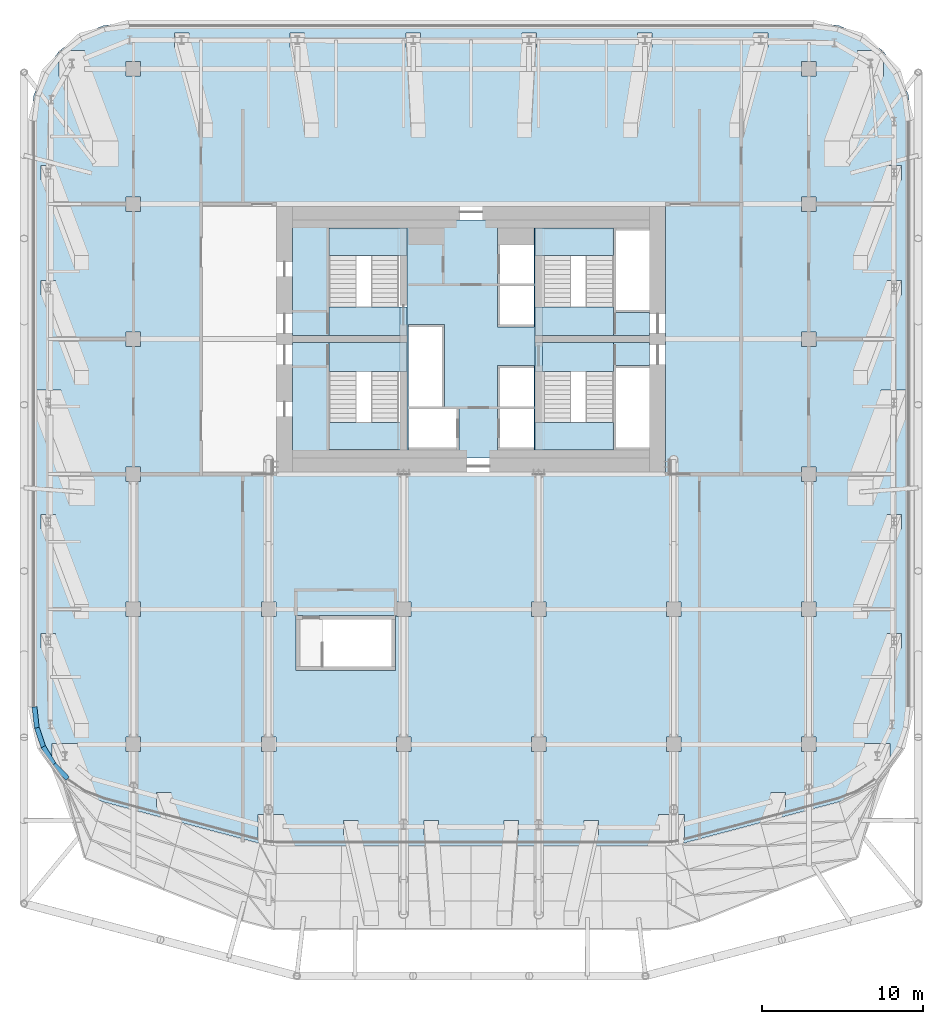
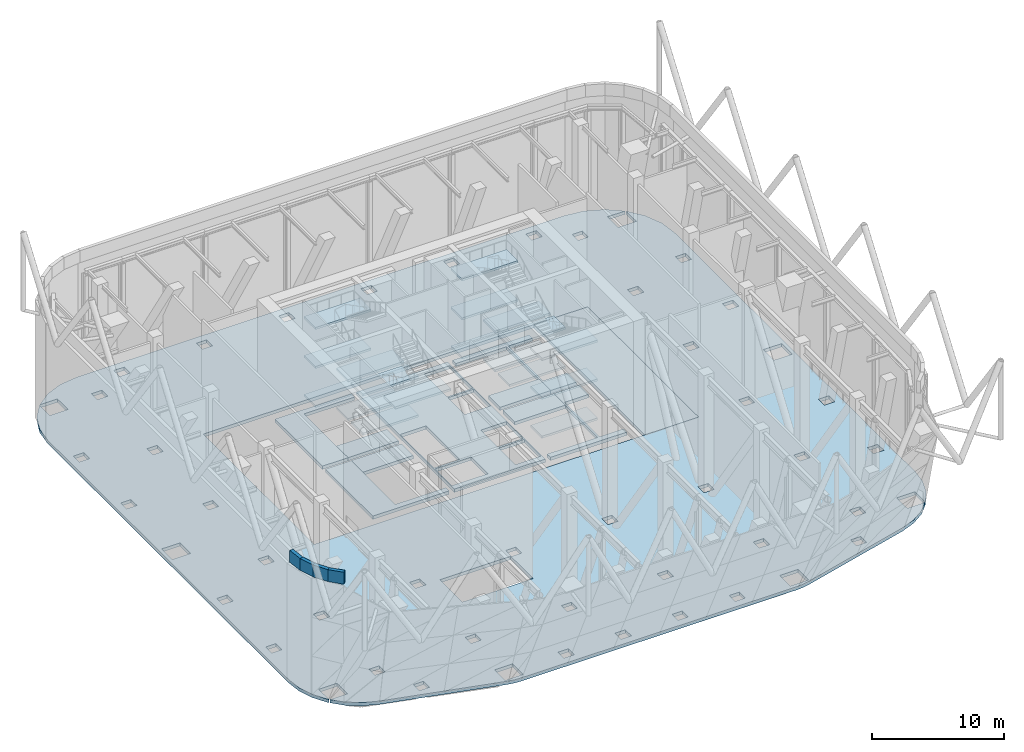
# One storey, part 9 of 20: 29 slabs, 4 walls, 4 elements without a shape of their own.
"""IFC4 building model written with IfcOpenShell, lengths in metres."""

from ifc_helpers import new_model, si_unit, direction, frame, frame_2d, origin, place, context, subcontext, project, spatial, polyline, rectangle, outline, extrude, material, layer, layer_set, type_object, element, aggregate, save


model = new_model("IFC4")

# Units and contexts
model_context = context("Model", 3, precision=1e-05, world=origin(), true_north=direction((0.0, 1.0)))
body_context = subcontext(model_context, "Body", "Model", "MODEL_VIEW")
ifc_project = project(units=[si_unit("LENGTHUNIT", "METRE"), si_unit("AREAUNIT", "SQUARE_METRE"), si_unit("VOLUMEUNIT", "CUBIC_METRE"), si_unit("PLANEANGLEUNIT", "RADIAN"), si_unit("MASSUNIT", "GRAM", prefix="KILO")], contexts=[model_context])

# Site, building, storey
site_placement = place(None, origin())
site = spatial("IfcSite", under=ifc_project, at=site_placement, CompositionType="ELEMENT")
building_placement = place(site_placement, origin())
building = spatial("IfcBuilding", under=site, at=building_placement, Name="Marenta Gate Hotel Tower", CompositionType="ELEMENT")
storey_placement = place(building_placement, frame((0.0, 0.0, 169.699951171875)))
storey = spatial("IfcBuildingStorey", under=building, at=storey_placement, Name="L40", CompositionType="ELEMENT", Elevation=169.699951171875)

# Slabs
ifc_material_1 = material(Name="Concrete C35", Category="concrete")
ifc_layer_1 = layer(ifc_material_1, 0.300048828125)
ifc_layer_set_1 = layer_set([ifc_layer_1], Name="Concrete C35")
slab_type_1 = type_object("IfcSlabType", Name="Concrete floor slab 300", PredefinedType="FLOOR", material=ifc_layer_set_1)
slab_1_placement = place(storey_placement, frame((0.0, 0.0, -0.300048828125)))
element("IfcSlab", 1, at=slab_1_placement, inside=storey, type_object=slab_type_1, Name="L40-SL-1", PredefinedType="FLOOR", context=body_context, shape_type="SweptSolid", body=[
    extrude(outline(polyline([(-25.213623046875, -19.1640625), (-26.011474609375, -18.3330078125), (-24.462890625, -18.3330078125), (-24.462890625, -16.73291015625), (-26.06298828125, -16.73291015625), (-26.06298828125, -18.279296875), (-26.13525390625, -18.2041015625), (-26.826904296875, -17.06689453125), (-27.25537109375, -15.80712890625), (-27.39990234375, -14.48974609375), (-27.39990234375, 22.006591796875), (-27.193115234375, 23.5791015625), (-26.58349609375, 25.050537109375), (-25.635498046875, 26.285888671875), (-25.635498046875, 24.735595703125), (-24.035400390625, 24.735595703125), (-24.035400390625, 26.33544921875), (-25.585693359375, 26.33544921875), (-24.350341796875, 27.283447265625), (-22.87890625, 27.89306640625), (-21.306640625, 28.10009765625), (21.306640625, 28.10009765625), (22.87890625, 27.89306640625), (24.350341796875, 27.283447265625), (25.585693359375, 26.33544921875), (24.035400390625, 26.33544921875), (24.035400390625, 24.735595703125), (25.635498046875, 24.735595703125), (25.635498046875, 26.285888671875), (26.58349609375, 25.050537109375), (27.193115234375, 23.5791015625), (27.39990234375, 22.006591796875), (27.39990234375, -14.48974609375), (27.25537109375, -15.80712890625), (26.826904296875, -17.06689453125), (26.13525390625, -18.2041015625), (26.06298828125, -18.279296875), (26.06298828125, -16.73291015625), (24.462890625, -16.73291015625), (24.462890625, -18.3330078125), (26.011474609375, -18.3330078125), (25.213623046875, -19.1640625), (24.105712890625, -19.9013671875), (22.86962890625, -20.37890625), (13.126708984375, -22.963623046875), (12.608642578125, -23.065673828125), (12.08154296875, -23.10009765625), (-12.08154296875, -23.10009765625), (-12.608642578125, -23.065673828125), (-13.126708984375, -22.963623046875), (-22.86962890625, -20.37890625), (-24.105712890625, -19.9013671875), (-25.213623046875, -19.1640625)]), holes=[polyline([(-16.800048828125, 0.0), (16.800048828125, 0.0), (16.800048828125, 16.800048828125), (-16.800048828125, 16.800048828125), (-16.800048828125, 0.0)]), polyline([(-18.65673828125, -19.7890625), (-19.556884765625, -19.7890625), (-19.556884765625, -20.689208984375), (-18.65673828125, -20.689208984375), (-18.65673828125, -19.7890625)]), polyline([(-20.550048828125, -17.25), (-20.550048828125, -16.35009765625), (-21.449951171875, -16.35009765625), (-21.449951171875, -17.25), (-20.550048828125, -17.25)]), polyline([(-12.14990234375, -16.35009765625), (-13.050048828125, -16.35009765625), (-13.050048828125, -17.25), (-12.14990234375, -17.25), (-12.14990234375, -16.35009765625)]), polyline([(-25.85009765625, -10.802001953125), (-25.85009765625, -9.90185546875), (-26.75, -9.90185546875), (-26.75, -10.802001953125), (-25.85009765625, -10.802001953125)]), polyline([(-20.550048828125, -8.85009765625), (-20.550048828125, -7.949951171875), (-21.449951171875, -7.949951171875), (-21.449951171875, -8.85009765625), (-20.550048828125, -8.85009765625)]), polyline([(-25.85009765625, -2.5009765625), (-26.75, -2.5009765625), (-26.75, -3.40087890625), (-25.85009765625, -3.40087890625), (-25.85009765625, -2.5009765625)]), polyline([(-20.550048828125, -0.449951171875), (-20.550048828125, 0.449951171875), (-21.449951171875, 0.449951171875), (-21.449951171875, -0.449951171875), (-20.550048828125, -0.449951171875)]), polyline([(-25.5, 3.64990234375), (-25.5, 5.25), (-27.10009765625, 5.25), (-27.10009765625, 3.64990234375), (-25.5, 3.64990234375)]), polyline([(-20.550048828125, 8.85009765625), (-21.449951171875, 8.85009765625), (-21.449951171875, 7.949951171875), (-20.550048828125, 7.949951171875), (-20.550048828125, 8.85009765625)]), polyline([(-25.85009765625, 11.1533203125), (-25.85009765625, 12.05322265625), (-26.75, 12.05322265625), (-26.75, 11.1533203125), (-25.85009765625, 11.1533203125)]), polyline([(-20.550048828125, 16.35009765625), (-20.550048828125, 17.25), (-21.449951171875, 17.25), (-21.449951171875, 16.35009765625), (-20.550048828125, 16.35009765625)]), polyline([(-25.85009765625, 19.206298828125), (-26.75, 19.206298828125), (-26.75, 18.306396484375), (-25.85009765625, 18.306396484375), (-25.85009765625, 19.206298828125)]), polyline([(-20.550048828125, 24.75), (-20.550048828125, 25.64990234375), (-21.449951171875, 25.64990234375), (-21.449951171875, 24.75), (-20.550048828125, 24.75)]), polyline([(-17.556884765625, 27.449951171875), (-18.456787109375, 27.449951171875), (-18.456787109375, 26.550048828125), (-17.556884765625, 26.550048828125), (-17.556884765625, 27.449951171875)]), polyline([(-7.030029296875, -22.449951171875), (-7.030029296875, -21.550048828125), (-7.93017578125, -21.550048828125), (-7.93017578125, -22.449951171875), (-7.030029296875, -22.449951171875)]), polyline([(-2.04345703125, -22.449951171875), (-2.04345703125, -21.550048828125), (-2.943359375, -21.550048828125), (-2.943359375, -22.449951171875), (-2.04345703125, -22.449951171875)]), polyline([(2.943359375, -21.550048828125), (2.04345703125, -21.550048828125), (2.04345703125, -22.449951171875), (2.943359375, -22.449951171875), (2.943359375, -21.550048828125)]), polyline([(7.93017578125, -22.449951171875), (7.93017578125, -21.550048828125), (7.030029296875, -21.550048828125), (7.030029296875, -22.449951171875), (7.93017578125, -22.449951171875)]), polyline([(-11.666259765625, -22.77490234375), (-11.666259765625, -21.1748046875), (-13.266357421875, -21.1748046875), (-13.266357421875, -22.77490234375), (-11.666259765625, -22.77490234375)]), polyline([(13.266357421875, -21.1748046875), (11.666259765625, -21.1748046875), (11.666259765625, -22.77490234375), (13.266357421875, -22.77490234375), (13.266357421875, -21.1748046875)]), polyline([(-3.75, -17.25), (-3.75, -16.35009765625), (-4.64990234375, -16.35009765625), (-4.64990234375, -17.25), (-3.75, -17.25)]), polyline([(4.64990234375, -17.25), (4.64990234375, -16.35009765625), (3.75, -16.35009765625), (3.75, -17.25), (4.64990234375, -17.25)]), polyline([(13.050048828125, -16.35009765625), (12.14990234375, -16.35009765625), (12.14990234375, -17.25), (13.050048828125, -17.25), (13.050048828125, -16.35009765625)]), polyline([(-12.14990234375, -8.85009765625), (-12.14990234375, -7.949951171875), (-13.050048828125, -7.949951171875), (-13.050048828125, -8.85009765625), (-12.14990234375, -8.85009765625)]), polyline([(-3.75, -8.85009765625), (-3.75, -7.949951171875), (-4.64990234375, -7.949951171875), (-4.64990234375, -8.85009765625), (-3.75, -8.85009765625)]), polyline([(4.64990234375, -7.949951171875), (3.75, -7.949951171875), (3.75, -8.85009765625), (4.64990234375, -8.85009765625), (4.64990234375, -7.949951171875)]), polyline([(-10.35400390625, 26.550048828125), (-10.35400390625, 27.449951171875), (-11.254150390625, 27.449951171875), (-11.254150390625, 26.550048828125), (-10.35400390625, 26.550048828125)]), polyline([(-3.1513671875, 26.550048828125), (-3.1513671875, 27.449951171875), (-4.051513671875, 27.449951171875), (-4.051513671875, 26.550048828125), (-3.1513671875, 26.550048828125)]), polyline([(4.051513671875, 27.449951171875), (3.1513671875, 27.449951171875), (3.1513671875, 26.550048828125), (4.051513671875, 26.550048828125), (4.051513671875, 27.449951171875)]), polyline([(11.254150390625, 26.550048828125), (11.254150390625, 27.449951171875), (10.35400390625, 27.449951171875), (10.35400390625, 26.550048828125), (11.254150390625, 26.550048828125)]), polyline([(19.556884765625, -20.689208984375), (19.556884765625, -19.7890625), (18.65673828125, -19.7890625), (18.65673828125, -20.689208984375), (19.556884765625, -20.689208984375)]), polyline([(21.449951171875, -17.25), (21.449951171875, -16.35009765625), (20.550048828125, -16.35009765625), (20.550048828125, -17.25), (21.449951171875, -17.25)]), polyline([(26.75, -10.802001953125), (26.75, -9.90185546875), (25.85009765625, -9.90185546875), (25.85009765625, -10.802001953125), (26.75, -10.802001953125)]), polyline([(13.050048828125, -7.949951171875), (12.14990234375, -7.949951171875), (12.14990234375, -8.85009765625), (13.050048828125, -8.85009765625), (13.050048828125, -7.949951171875)]), polyline([(21.449951171875, -8.85009765625), (21.449951171875, -7.949951171875), (20.550048828125, -7.949951171875), (20.550048828125, -8.85009765625), (21.449951171875, -8.85009765625)]), polyline([(26.75, -3.40087890625), (26.75, -2.5009765625), (25.85009765625, -2.5009765625), (25.85009765625, -3.40087890625), (26.75, -3.40087890625)]), polyline([(21.449951171875, 0.449951171875), (20.550048828125, 0.449951171875), (20.550048828125, -0.449951171875), (21.449951171875, -0.449951171875), (21.449951171875, 0.449951171875)]), polyline([(27.10009765625, 3.64990234375), (27.10009765625, 5.25), (25.5, 5.25), (25.5, 3.64990234375), (27.10009765625, 3.64990234375)]), polyline([(21.449951171875, 7.949951171875), (21.449951171875, 8.85009765625), (20.550048828125, 8.85009765625), (20.550048828125, 7.949951171875), (21.449951171875, 7.949951171875)]), polyline([(26.75, 12.05322265625), (25.85009765625, 12.05322265625), (25.85009765625, 11.1533203125), (26.75, 11.1533203125), (26.75, 12.05322265625)]), polyline([(21.449951171875, 16.35009765625), (21.449951171875, 17.25), (20.550048828125, 17.25), (20.550048828125, 16.35009765625), (21.449951171875, 16.35009765625)]), polyline([(26.75, 18.306396484375), (26.75, 19.206298828125), (25.85009765625, 19.206298828125), (25.85009765625, 18.306396484375), (26.75, 18.306396484375)]), polyline([(21.449951171875, 25.64990234375), (20.550048828125, 25.64990234375), (20.550048828125, 24.75), (21.449951171875, 24.75), (21.449951171875, 25.64990234375)]), polyline([(18.456787109375, 26.550048828125), (18.456787109375, 27.449951171875), (17.556884765625, 27.449951171875), (17.556884765625, 26.550048828125), (18.456787109375, 26.550048828125)]), polyline([(-4.699951171875, -8.800048828125), (-10.89990234375, -8.800048828125), (-10.89990234375, -12.199951171875), (-4.699951171875, -12.199951171875), (-4.699951171875, -8.800048828125)])]), origin(), (0.0, 0.0, 1.0), 0.300048828125),
])
ifc_material_2 = material(Name="Concrete C40", Category="concrete")
ifc_layer_2 = layer(ifc_material_2, 0.300048828125)
ifc_layer_set_2 = layer_set([ifc_layer_2], Name="Concrete C40")
slab_type_2 = type_object("IfcSlabType", Name="Core floor slab 300", PredefinedType="FLOOR", material=ifc_layer_set_2)
slab_2_placement = place(storey_placement, frame((0.0, 0.0, -0.300048828125)))
element("IfcSlab", 2, at=slab_2_placement, inside=storey, type_object=slab_type_2, Name="L40-CF-1", PredefinedType="FLOOR", context=body_context, shape_type="SweptSolid", body=[
    extrude(outline(polyline([(12.10009765625, 0.0), (12.10009765625, 16.800048828125), (16.800048828125, 16.800048828125), (16.800048828125, 0.0), (12.10009765625, 0.0)])), origin(), (0.0, 0.0, 1.0), 0.300048828125),
])
slab_3_placement = place(storey_placement, frame((0.0, 0.0, -0.300048828125)))
element("IfcSlab", 3, at=slab_3_placement, inside=storey, type_object=slab_type_2, Name="L40-CF-2", PredefinedType="FLOOR", context=body_context, shape_type="SweptSolid", body=[
    extrude(outline(polyline([(8.85009765625, 1.5), (8.85009765625, 6.39990234375), (8.85009765625, 8.10009765625), (8.85009765625, 8.175048828125), (11.10009765625, 8.175048828125), (11.10009765625, 6.75), (9.0, 6.75), (9.0, 6.60009765625), (9.0, 4.199951171875), (9.0, 4.050048828125), (9.0, 1.64990234375), (9.0, 1.5), (11.10009765625, 1.5), (11.10009765625, 1.0), (4.425048828125, 1.0), (4.425048828125, 1.5), (8.85009765625, 1.5)])), origin(), (0.0, 0.0, 1.0), 0.300048828125),
])
slab_4_placement = place(storey_placement, frame((0.0, 0.0, -0.300048828125)))
element("IfcSlab", 4, at=slab_4_placement, inside=storey, type_object=slab_type_2, Name="L40-CF-3", PredefinedType="FLOOR", context=body_context, shape_type="SweptSolid", body=[
    extrude(outline(polyline([(8.85009765625, 15.300048828125), (4.425048828125, 15.300048828125), (4.425048828125, 15.800048828125), (11.10009765625, 15.800048828125), (11.10009765625, 15.300048828125), (9.0, 15.300048828125), (9.0, 15.14990234375), (9.0, 12.75), (9.0, 12.60009765625), (9.0, 10.199951171875), (9.0, 10.050048828125), (11.10009765625, 10.050048828125), (11.10009765625, 8.625), (8.85009765625, 8.625), (8.85009765625, 8.699951171875), (8.85009765625, 10.39990234375), (8.85009765625, 15.300048828125)])), origin(), (0.0, 0.0, 1.0), 0.300048828125),
])
slab_5_placement = place(storey_placement, frame((0.0, 0.0, -0.300048828125)))
element("IfcSlab", 5, at=slab_5_placement, inside=storey, type_object=slab_type_2, Name="L40-CF-4", PredefinedType="FLOOR", context=body_context, shape_type="SweptSolid", body=[
    extrude(outline(polyline([(3.97509765625, 15.300048828125), (3.97509765625, 10.39990234375), (3.97509765625, 6.39990234375), (3.97509765625, 1.5), (3.97509765625, 1.0), (-3.97509765625, 1.0), (-3.97509765625, 1.5), (-3.97509765625, 6.39990234375), (-3.97509765625, 10.39990234375), (-3.97509765625, 15.300048828125), (-3.97509765625, 15.800048828125), (3.97509765625, 15.800048828125), (3.97509765625, 15.300048828125)]), holes=[polyline([(1.64990234375, 1.5), (3.89990234375, 1.5), (3.89990234375, 1.64990234375), (3.89990234375, 4.050048828125), (1.800048828125, 4.050048828125), (1.64990234375, 4.050048828125), (1.64990234375, 1.64990234375), (1.64990234375, 1.5)]), polyline([(1.64990234375, 6.60009765625), (1.64990234375, 4.199951171875), (1.800048828125, 4.199951171875), (3.89990234375, 4.199951171875), (3.89990234375, 6.60009765625), (3.89990234375, 6.75), (1.64990234375, 6.75), (1.64990234375, 6.60009765625)]), polyline([(1.64990234375, 9.14990234375), (3.89990234375, 9.14990234375), (3.89990234375, 9.300048828125), (3.89990234375, 11.699951171875), (1.800048828125, 11.699951171875), (1.64990234375, 11.699951171875), (1.64990234375, 9.300048828125), (1.64990234375, 9.14990234375)]), polyline([(1.64990234375, 15.300048828125), (1.64990234375, 14.25), (1.64990234375, 11.85009765625), (1.800048828125, 11.85009765625), (3.89990234375, 11.85009765625), (3.89990234375, 14.25), (3.89990234375, 15.300048828125), (1.64990234375, 15.300048828125)]), polyline([(-3.89990234375, 4.050048828125), (-3.89990234375, 1.64990234375), (-3.89990234375, 1.5), (-0.89990234375, 1.5), (-0.75, 1.5), (-0.75, 4.050048828125), (-0.89990234375, 4.050048828125), (-3.89990234375, 4.050048828125)]), polyline([(-1.800048828125, 4.199951171875), (-1.64990234375, 4.199951171875), (-1.64990234375, 9.14990234375), (-1.64990234375, 9.300048828125), (-3.89990234375, 9.300048828125), (-3.89990234375, 9.14990234375), (-3.89990234375, 6.75), (-3.89990234375, 6.60009765625), (-3.89990234375, 4.199951171875), (-1.800048828125, 4.199951171875)])]), origin(), (0.0, 0.0, 1.0), 0.300048828125),
])
slab_6_placement = place(storey_placement, frame((0.0, 0.0, -0.300048828125)))
element("IfcSlab", 6, at=slab_6_placement, inside=storey, type_object=slab_type_2, Name="L40-CF-5", PredefinedType="FLOOR", context=body_context, shape_type="SweptSolid", body=[
    extrude(outline(polyline([(-8.85009765625, 8.175048828125), (-8.85009765625, 8.10009765625), (-8.85009765625, 6.39990234375), (-8.85009765625, 1.5), (-4.425048828125, 1.5), (-4.425048828125, 1.0), (-11.10009765625, 1.0), (-11.10009765625, 8.175048828125), (-8.85009765625, 8.175048828125)])), origin(), (0.0, 0.0, 1.0), 0.300048828125),
])
slab_7_placement = place(storey_placement, frame((0.0, 0.0, -0.300048828125)))
element("IfcSlab", 7, at=slab_7_placement, inside=storey, type_object=slab_type_2, Name="L40-CF-6", PredefinedType="FLOOR", context=body_context, shape_type="SweptSolid", body=[
    extrude(outline(polyline([(-4.425048828125, 15.300048828125), (-8.85009765625, 15.300048828125), (-8.85009765625, 10.39990234375), (-8.85009765625, 8.699951171875), (-8.85009765625, 8.625), (-11.10009765625, 8.625), (-11.10009765625, 15.800048828125), (-4.425048828125, 15.800048828125), (-4.425048828125, 15.300048828125)])), origin(), (0.0, 0.0, 1.0), 0.300048828125),
])

# Stair, slabs
ifc_material_3 = material(Name="Concrete C40", Category="concrete")
stair_type = type_object("IfcStairType", Name="Core exit stair 1700 wide", PredefinedType="HALF_TURN_STAIR", material=ifc_material_3)
stair_1_placement = place(storey_placement, origin())
stair_1 = element("IfcStair", 8, at=stair_1_placement, inside=storey, type_object=stair_type, Name="Exit stair 1", PredefinedType="HALF_TURN_STAIR")
ifc_material_4 = material(Name="Concrete C40", Category="concrete")
ifc_layer_3 = layer(ifc_material_4, 0.199951171875)
ifc_layer_set_3 = layer_set([ifc_layer_3], Name="Concrete C40")
slab_type_3 = type_object("IfcSlabType", Name="Core stair landing 200", PredefinedType="LANDING", material=ifc_layer_set_3)
slab_8_placement = place(storey_placement, frame((0.0, 0.0, 3.400146484375)))
slab_8 = element("IfcSlab", 9, at=slab_8_placement, type_object=slab_type_3, Name="SL-200 ST1 landing 2", PredefinedType="LANDING", context=body_context, shape_type="SweptSolid", body=[
    extrude(outline(polyline([(-8.85009765625, 6.39990234375), (-3.97509765625, 6.39990234375), (-3.97509765625, 8.175048828125), (-8.85009765625, 8.175048828125), (-8.85009765625, 6.39990234375)])), origin(), (0.0, 0.0, 1.0), 0.199951171875),
])
slab_9_placement = place(storey_placement, frame((0.0, 0.0, 7.0)))
slab_9 = element("IfcSlab", 10, at=slab_9_placement, type_object=slab_type_3, Name="SL-200 ST1 landing 4", PredefinedType="LANDING", context=body_context, shape_type="SweptSolid", body=[
    extrude(outline(polyline([(-8.85009765625, 6.39990234375), (-3.97509765625, 6.39990234375), (-3.97509765625, 8.175048828125), (-8.85009765625, 8.175048828125), (-8.85009765625, 6.39990234375)])), origin(), (0.0, 0.0, 1.0), 0.199951171875),
])
slab_10_placement = place(storey_placement, frame((0.0, 0.0, 8.800048828125)))
slab_10 = element("IfcSlab", 11, at=slab_10_placement, type_object=slab_type_3, Name="SL-200 ST1 landing 5", PredefinedType="LANDING", context=body_context, shape_type="SweptSolid", body=[
    extrude(outline(polyline([(-8.85009765625, 1.5), (-3.97509765625, 1.5), (-3.97509765625, 3.2099609375), (-8.85009765625, 3.2099609375), (-8.85009765625, 1.5)])), origin(), (0.0, 0.0, 1.0), 0.199951171875),
])
aggregate(stair_1, [slab_8, slab_9, slab_10])

stair_2_placement = place(storey_placement, origin())
stair_2 = element("IfcStair", 12, at=stair_2_placement, inside=storey, type_object=stair_type, Name="Exit stair 2", PredefinedType="HALF_TURN_STAIR")
slab_11_placement = place(storey_placement, frame((0.0, 0.0, 1.60009765625)))
slab_11 = element("IfcSlab", 13, at=slab_11_placement, type_object=slab_type_3, Name="SL-200 ST2 landing 1", PredefinedType="LANDING", context=body_context, shape_type="SweptSolid", body=[
    extrude(outline(polyline([(-8.85009765625, 13.590087890625), (-3.97509765625, 13.590087890625), (-3.97509765625, 15.300048828125), (-8.85009765625, 15.300048828125), (-8.85009765625, 13.590087890625)])), origin(), (0.0, 0.0, 1.0), 0.199951171875),
])
slab_12_placement = place(storey_placement, frame((0.0, 0.0, 3.400146484375)))
slab_12 = element("IfcSlab", 14, at=slab_12_placement, type_object=slab_type_3, Name="SL-200 ST2 landing 2", PredefinedType="LANDING", context=body_context, shape_type="SweptSolid", body=[
    extrude(outline(polyline([(-8.85009765625, 8.625), (-3.97509765625, 8.625), (-3.97509765625, 10.39990234375), (-8.85009765625, 10.39990234375), (-8.85009765625, 8.625)])), origin(), (0.0, 0.0, 1.0), 0.199951171875),
])
slab_13_placement = place(storey_placement, frame((0.0, 0.0, 5.199951171875)))
slab_13 = element("IfcSlab", 15, at=slab_13_placement, type_object=slab_type_3, Name="SL-200 ST2 landing 3", PredefinedType="LANDING", context=body_context, shape_type="SweptSolid", body=[
    extrude(outline(polyline([(-8.85009765625, 13.590087890625), (-3.97509765625, 13.590087890625), (-3.97509765625, 15.300048828125), (-8.85009765625, 15.300048828125), (-8.85009765625, 13.590087890625)])), origin(), (0.0, 0.0, 1.0), 0.2001953125),
])
slab_14_placement = place(storey_placement, frame((0.0, 0.0, 7.0)))
slab_14 = element("IfcSlab", 16, at=slab_14_placement, type_object=slab_type_3, Name="SL-200 ST2 landing 4", PredefinedType="LANDING", context=body_context, shape_type="SweptSolid", body=[
    extrude(outline(polyline([(-8.85009765625, 8.625), (-3.97509765625, 8.625), (-3.97509765625, 10.39990234375), (-8.85009765625, 10.39990234375), (-8.85009765625, 8.625)])), origin(), (0.0, 0.0, 1.0), 0.199951171875),
])
slab_15_placement = place(storey_placement, frame((0.0, 0.0, 8.800048828125)))
slab_15 = element("IfcSlab", 17, at=slab_15_placement, type_object=slab_type_3, Name="SL-200 ST2 landing 5", PredefinedType="LANDING", context=body_context, shape_type="SweptSolid", body=[
    extrude(outline(polyline([(-8.85009765625, 13.590087890625), (-3.97509765625, 13.590087890625), (-3.97509765625, 15.300048828125), (-8.85009765625, 15.300048828125), (-8.85009765625, 13.590087890625)])), origin(), (0.0, 0.0, 1.0), 0.199951171875),
])
aggregate(stair_2, [slab_11, slab_12, slab_13, slab_14, slab_15])

stair_3_placement = place(storey_placement, origin())
stair_3 = element("IfcStair", 18, at=stair_3_placement, inside=storey, type_object=stair_type, Name="Exit stair 3", PredefinedType="HALF_TURN_STAIR")
slab_16_placement = place(storey_placement, frame((0.0, 0.0, 1.60009765625)))
slab_16 = element("IfcSlab", 19, at=slab_16_placement, type_object=slab_type_3, Name="SL-200 ST3 landing 1", PredefinedType="LANDING", context=body_context, shape_type="SweptSolid", body=[
    extrude(outline(polyline([(3.97509765625, 1.5), (8.85009765625, 1.5), (8.85009765625, 3.2099609375), (3.97509765625, 3.2099609375), (3.97509765625, 1.5)])), origin(), (0.0, 0.0, 1.0), 0.199951171875),
])
slab_17_placement = place(storey_placement, frame((0.0, 0.0, 3.400146484375)))
slab_17 = element("IfcSlab", 20, at=slab_17_placement, type_object=slab_type_3, Name="SL-200 ST3 landing 2", PredefinedType="LANDING", context=body_context, shape_type="SweptSolid", body=[
    extrude(outline(polyline([(3.97509765625, 6.39990234375), (8.85009765625, 6.39990234375), (8.85009765625, 8.175048828125), (3.97509765625, 8.175048828125), (3.97509765625, 6.39990234375)])), origin(), (0.0, 0.0, 1.0), 0.199951171875),
])
slab_18_placement = place(storey_placement, frame((0.0, 0.0, 5.199951171875)))
slab_18 = element("IfcSlab", 21, at=slab_18_placement, type_object=slab_type_3, Name="SL-200 ST3 landing 3", PredefinedType="LANDING", context=body_context, shape_type="SweptSolid", body=[
    extrude(outline(polyline([(3.97509765625, 1.5), (8.85009765625, 1.5), (8.85009765625, 3.2099609375), (3.97509765625, 3.2099609375), (3.97509765625, 1.5)])), origin(), (0.0, 0.0, 1.0), 0.2001953125),
])
slab_19_placement = place(storey_placement, frame((0.0, 0.0, 7.0)))
slab_19 = element("IfcSlab", 22, at=slab_19_placement, type_object=slab_type_3, Name="SL-200 ST3 landing 4", PredefinedType="LANDING", context=body_context, shape_type="SweptSolid", body=[
    extrude(outline(polyline([(3.97509765625, 6.39990234375), (8.85009765625, 6.39990234375), (8.85009765625, 8.175048828125), (3.97509765625, 8.175048828125), (3.97509765625, 6.39990234375)])), origin(), (0.0, 0.0, 1.0), 0.199951171875),
])
slab_20_placement = place(storey_placement, frame((0.0, 0.0, 8.800048828125)))
slab_20 = element("IfcSlab", 23, at=slab_20_placement, type_object=slab_type_3, Name="SL-200 ST3 landing 5", PredefinedType="LANDING", context=body_context, shape_type="SweptSolid", body=[
    extrude(outline(polyline([(3.97509765625, 1.5), (8.85009765625, 1.5), (8.85009765625, 3.2099609375), (3.97509765625, 3.2099609375), (3.97509765625, 1.5)])), origin(), (0.0, 0.0, 1.0), 0.199951171875),
])
aggregate(stair_3, [slab_16, slab_17, slab_18, slab_19, slab_20])

stair_4_placement = place(storey_placement, origin())
stair_4 = element("IfcStair", 24, at=stair_4_placement, inside=storey, type_object=stair_type, Name="Exit stair 4", PredefinedType="HALF_TURN_STAIR")
slab_21_placement = place(storey_placement, frame((0.0, 0.0, 1.60009765625)))
slab_21 = element("IfcSlab", 25, at=slab_21_placement, type_object=slab_type_3, Name="SL-200 ST4 landing 1", PredefinedType="LANDING", context=body_context, shape_type="SweptSolid", body=[
    extrude(outline(polyline([(3.97509765625, 13.590087890625), (8.85009765625, 13.590087890625), (8.85009765625, 15.300048828125), (3.97509765625, 15.300048828125), (3.97509765625, 13.590087890625)])), origin(), (0.0, 0.0, 1.0), 0.199951171875),
])
slab_22_placement = place(storey_placement, frame((0.0, 0.0, 3.400146484375)))
slab_22 = element("IfcSlab", 26, at=slab_22_placement, type_object=slab_type_3, Name="SL-200 ST4 landing 2", PredefinedType="LANDING", context=body_context, shape_type="SweptSolid", body=[
    extrude(outline(polyline([(3.97509765625, 8.625), (8.85009765625, 8.625), (8.85009765625, 10.39990234375), (3.97509765625, 10.39990234375), (3.97509765625, 8.625)])), origin(), (0.0, 0.0, 1.0), 0.199951171875),
])
slab_23_placement = place(storey_placement, frame((0.0, 0.0, 5.199951171875)))
slab_23 = element("IfcSlab", 27, at=slab_23_placement, type_object=slab_type_3, Name="SL-200 ST4 landing 3", PredefinedType="LANDING", context=body_context, shape_type="SweptSolid", body=[
    extrude(outline(polyline([(3.97509765625, 13.590087890625), (8.85009765625, 13.590087890625), (8.85009765625, 15.300048828125), (3.97509765625, 15.300048828125), (3.97509765625, 13.590087890625)])), origin(), (0.0, 0.0, 1.0), 0.2001953125),
])
slab_24_placement = place(storey_placement, frame((0.0, 0.0, 7.0)))
slab_24 = element("IfcSlab", 28, at=slab_24_placement, type_object=slab_type_3, Name="SL-200 ST4 landing 4", PredefinedType="LANDING", context=body_context, shape_type="SweptSolid", body=[
    extrude(outline(polyline([(3.97509765625, 8.625), (8.85009765625, 8.625), (8.85009765625, 10.39990234375), (3.97509765625, 10.39990234375), (3.97509765625, 8.625)])), origin(), (0.0, 0.0, 1.0), 0.199951171875),
])
slab_25_placement = place(storey_placement, frame((0.0, 0.0, 8.800048828125)))
slab_25 = element("IfcSlab", 29, at=slab_25_placement, type_object=slab_type_3, Name="SL-200 ST4 landing 5", PredefinedType="LANDING", context=body_context, shape_type="SweptSolid", body=[
    extrude(outline(polyline([(3.97509765625, 13.590087890625), (8.85009765625, 13.590087890625), (8.85009765625, 15.300048828125), (3.97509765625, 15.300048828125), (3.97509765625, 13.590087890625)])), origin(), (0.0, 0.0, 1.0), 0.199951171875),
])
aggregate(stair_4, [slab_21, slab_22, slab_23, slab_24, slab_25])

# Slabs
ifc_material_5 = material(Name="Concrete C40", Category="concrete")
ifc_layer_4 = layer(ifc_material_5, 0.300048828125)
ifc_layer_set_4 = layer_set([ifc_layer_4], Name="Concrete C40")
slab_type_4 = type_object("IfcSlabType", Name="Stair floor landing slab 300", PredefinedType="FLOOR", material=ifc_layer_set_4)
slab_26_placement = place(storey_placement, frame((0.0, 0.0, -0.300048828125)))
element("IfcSlab", 30, at=slab_26_placement, inside=storey, type_object=slab_type_4, Name="L40-CL-ST1-1", PredefinedType="FLOOR", context=body_context, shape_type="SweptSolid", body=[
    extrude(outline(polyline([(-4.425048828125, 6.39990234375), (-8.85009765625, 6.39990234375), (-8.85009765625, 8.10009765625), (-8.85009765625, 8.175048828125), (-4.425048828125, 8.175048828125), (-4.425048828125, 6.39990234375)])), origin(), (0.0, 0.0, 1.0), 0.300048828125),
])
slab_27_placement = place(storey_placement, frame((0.0, 0.0, -0.300048828125)))
element("IfcSlab", 31, at=slab_27_placement, inside=storey, type_object=slab_type_4, Name="L40-CL-ST2-1", PredefinedType="FLOOR", context=body_context, shape_type="SweptSolid", body=[
    extrude(outline(polyline([(-4.425048828125, 8.625), (-8.85009765625, 8.625), (-8.85009765625, 8.699951171875), (-8.85009765625, 10.39990234375), (-4.425048828125, 10.39990234375), (-4.425048828125, 8.625)])), origin(), (0.0, 0.0, 1.0), 0.300048828125),
])
slab_28_placement = place(storey_placement, frame((0.0, 0.0, -0.300048828125)))
element("IfcSlab", 32, at=slab_28_placement, inside=storey, type_object=slab_type_4, Name="L40-CL-ST3-1", PredefinedType="FLOOR", context=body_context, shape_type="SweptSolid", body=[
    extrude(outline(polyline([(4.425048828125, 6.39990234375), (4.425048828125, 8.175048828125), (8.85009765625, 8.175048828125), (8.85009765625, 8.10009765625), (8.85009765625, 6.39990234375), (4.425048828125, 6.39990234375)])), origin(), (0.0, 0.0, 1.0), 0.300048828125),
])
slab_29_placement = place(storey_placement, frame((0.0, 0.0, -0.300048828125)))
element("IfcSlab", 33, at=slab_29_placement, inside=storey, type_object=slab_type_4, Name="L40-CL-ST4-1", PredefinedType="FLOOR", context=body_context, shape_type="SweptSolid", body=[
    extrude(outline(polyline([(4.425048828125, 8.625), (4.425048828125, 10.39990234375), (8.85009765625, 10.39990234375), (8.85009765625, 8.699951171875), (8.85009765625, 8.625), (4.425048828125, 8.625)])), origin(), (0.0, 0.0, 1.0), 0.300048828125),
])

# Walls
ifc_material_6 = material(Name="Concrete C40 board-marked", Category="concrete")
ifc_layer_5 = layer(ifc_material_6, 0.300048828125)
ifc_layer_set_5 = layer_set([ifc_layer_5], Name="Concrete C40 board-marked")
wall_type = type_object("IfcWallType", Name="Parapet 300 mm board-marked concrete", PredefinedType="PARAPET", material=ifc_layer_set_5)
wall_1_placement = place(storey_placement, frame((-25.927490234375, -18.064697265625, 10.800048828125), z_axis=(0.0, 0.0, 1.0), x_axis=(-0.519698377403, 0.854349809226, 0.0)))
element("IfcWall", 34, at=wall_1_placement, inside=storey, type_object=wall_type, Name="L40-PAR-00000", PredefinedType="PARAPET", context=body_context, shape_type="SweptSolid", body=[
    extrude(rectangle(XDim=1.308837890625, YDim=0.300048828125, at=frame_2d((0.654296875, 0.0))), origin(), (0.0, 0.0, 1.0), 1.10009765625),
])
for number, where, z_axis, x_axis, name in (
    (35, (-26.59375, -16.97607421875, 10.800048828125), (0.0, 0.0, 1.0), (-0.321986341971, 0.946744313732, 0.0), "L40-PAR-00010"),
    (36, (-27.008056640625, -15.768798828125, 10.800048828125), (0.0, 0.0, 1.0), (-0.109141394059, 0.994026235118, 0.0), "L40-PAR-00020"),
):
    element("IfcWall", number, at=place(storey_placement, frame(where, z_axis=z_axis, x_axis=x_axis)), inside=storey, type_object=wall_type, Name=name, PredefinedType="PARAPET", context=body_context, shape_type="SweptSolid", body=[
        extrude(rectangle(XDim=1.30859375, YDim=0.300048828125, at=frame_2d((0.654296875, 0.0))), origin(), (0.0, 0.0, 1.0), 1.10009765625),
    ])
wall_2_placement = place(storey_placement, frame((-25.091796875, -18.93017578125, 10.800048828125), z_axis=(0.0, 0.0, 1.0), x_axis=(-0.692535941108, 0.721383372607, 0.0)))
element("IfcWall", 37, at=wall_2_placement, inside=storey, type_object=wall_type, Name="L40-PAR-01010", PredefinedType="PARAPET", context=body_context, shape_type="SweptSolid", body=[
    extrude(rectangle(XDim=1.235595703125, YDim=0.300048828125, at=frame_2d((0.61767578125, 0.0))), origin(), (0.0, 0.0, 1.0), 1.10009765625),
])

save(model, "model.ifc")
